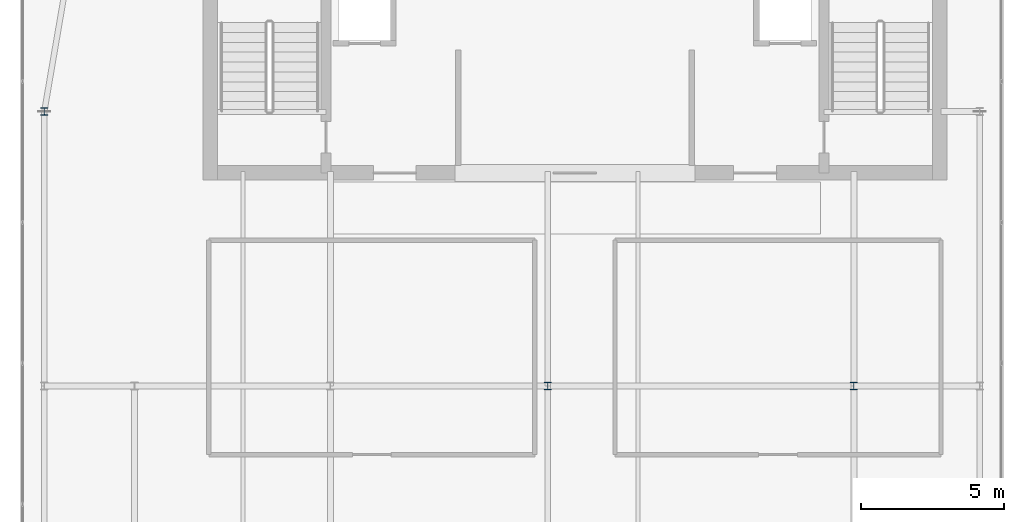
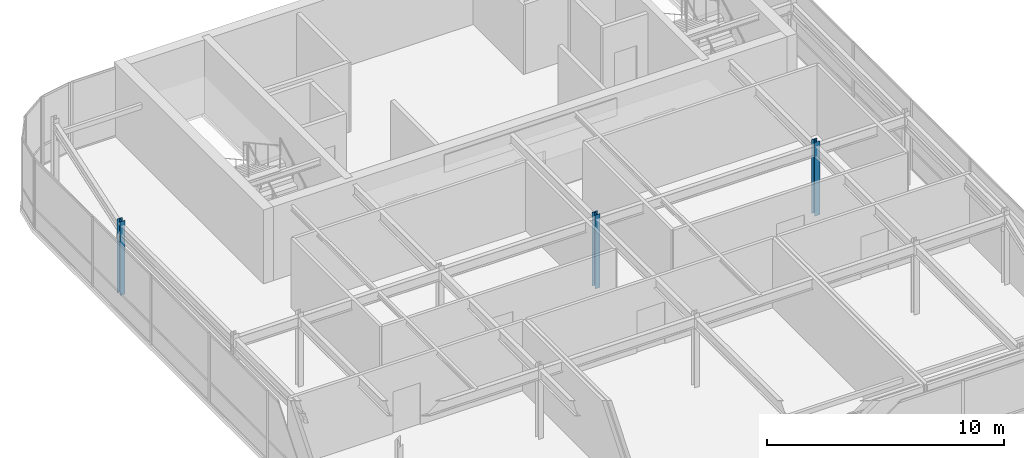
# One storey, part 2 of 36: 3 columns.
"""IFC4 building model written with IfcOpenShell, lengths in metres."""

from ifc_helpers import new_model, si_unit, direction, frame, origin, origin_2d, place, context, subcontext, project, spatial, i_section, extrude, source, transform, mapped, material, material_profile, profile_set, type_object, type_shapes, element, save


model = new_model("IFC4")

# Units and contexts
model_context = context("Model", 3, precision=1e-05, world=origin(), true_north=direction((0.0, 1.0)))
body_context = subcontext(model_context, "Body", "Model", "MODEL_VIEW")
ifc_project = project(units=[si_unit("LENGTHUNIT", "METRE"), si_unit("AREAUNIT", "SQUARE_METRE"), si_unit("VOLUMEUNIT", "CUBIC_METRE"), si_unit("PLANEANGLEUNIT", "RADIAN"), si_unit("MASSUNIT", "GRAM", prefix="KILO")], contexts=[model_context])

# Site, building, storey
site_placement = place(None, origin())
site = spatial("IfcSite", under=ifc_project, at=site_placement, CompositionType="ELEMENT")
building_placement = place(site_placement, origin())
building = spatial("IfcBuilding", under=site, at=building_placement, Name="Tolvann Quenvar Hotel", CompositionType="ELEMENT")
storey_placement = place(building_placement, frame((0.0, 0.0, 306.14990234375)))
storey = spatial("IfcBuildingStorey", under=building, at=storey_placement, Name="L81", CompositionType="ELEMENT", Elevation=306.14990234375)

# Columns
ifc_material = material(Name="Steel Grade 350", Category="steel")
ifc_material_profile = material_profile(ifc_material, i_section(OverallWidth=0.25390625, OverallDepth=0.25390625, WebThickness=0.008544921875, FlangeThickness=0.01416015625, FilletRadius=0.013916015625, at=origin_2d()), Name="250UC73")
ifc_profile_set = profile_set([ifc_material_profile], Name="Steel Grade 350")
column_type = type_object("IfcColumnType", Name="COL_250UC73", PredefinedType="COLUMN", material=ifc_profile_set)
shared_shape = source(origin(), body_context, "Body", "SweptSolid", [
    extrude(i_section(OverallWidth=0.25390625, OverallDepth=0.25390625, WebThickness=0.008544921875, FlangeThickness=0.01416015625, FilletRadius=0.013916015625, at=origin_2d()), origin(), (0.0, 0.0, 1.0), 3.800048828125),
])
type_shapes(column_type, [shared_shape])
for number, where, z_axis, x_axis, name in (
    (1, (22.050048828125, 24.39990234375, 0.0), (0.0, 0.0, 1.0), (1.0, 0.0, 0.0), "Column E5 (L81)"),
    (2, (32.75, 24.39990234375, 0.0), (0.0, 0.0, 1.0), (1.0, 0.0, 0.0), "Column FP5 (L81)"),
    (3, (4.449951171875, 34.0, 0.0), (0.0, 0.0, 1.0), (1.0, 0.0, 0.0), "Column BD6 (L81)"),
):
    element("IfcColumn", number, at=place(storey_placement, frame(where, z_axis=z_axis, x_axis=x_axis)), inside=storey, type_object=column_type, Name=name, PredefinedType="COLUMN", context=body_context, shape_type="MappedRepresentation", body=[
        mapped(shared_shape, transform((0.0, 0.0, 0.0), x_axis=(1.0, 0.0, 0.0), y_axis=(0.0, 1.0, 0.0), z_axis=(0.0, 0.0, 1.0), scale=1.0)),
    ])

save(model, "model.ifc")
